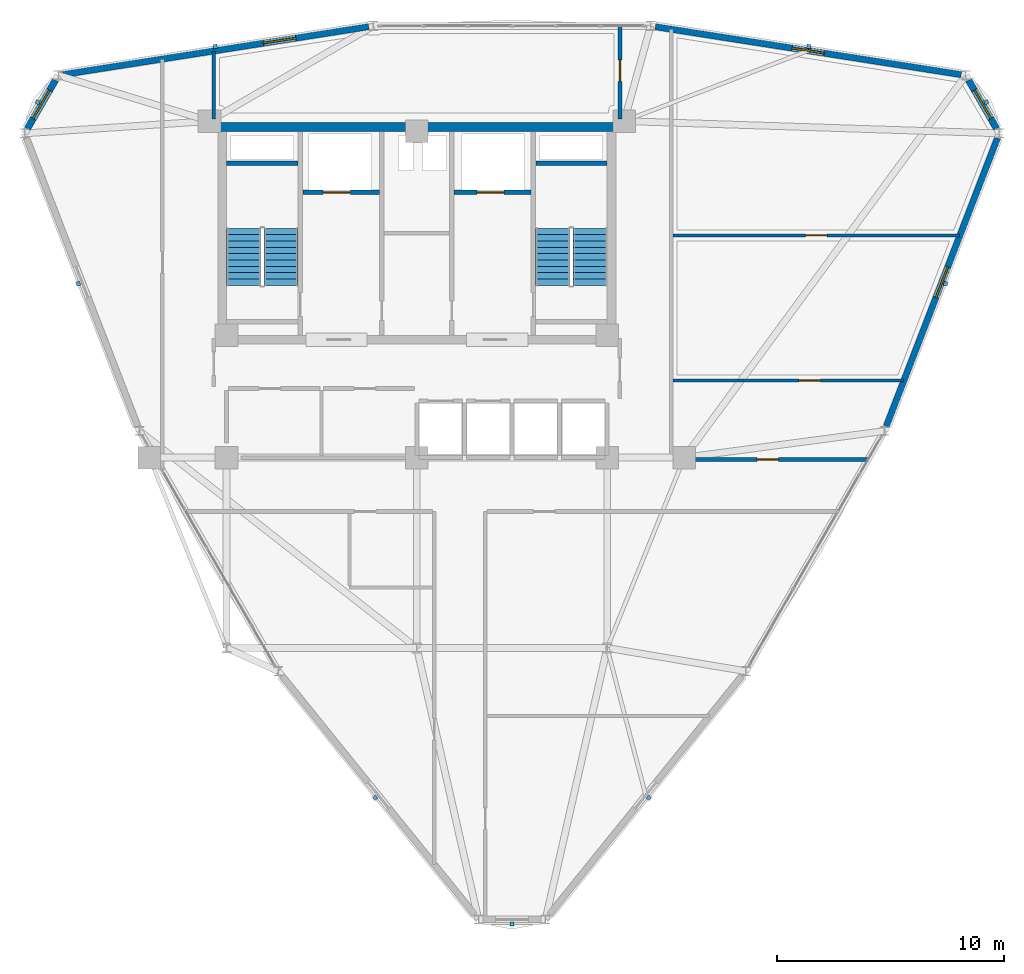
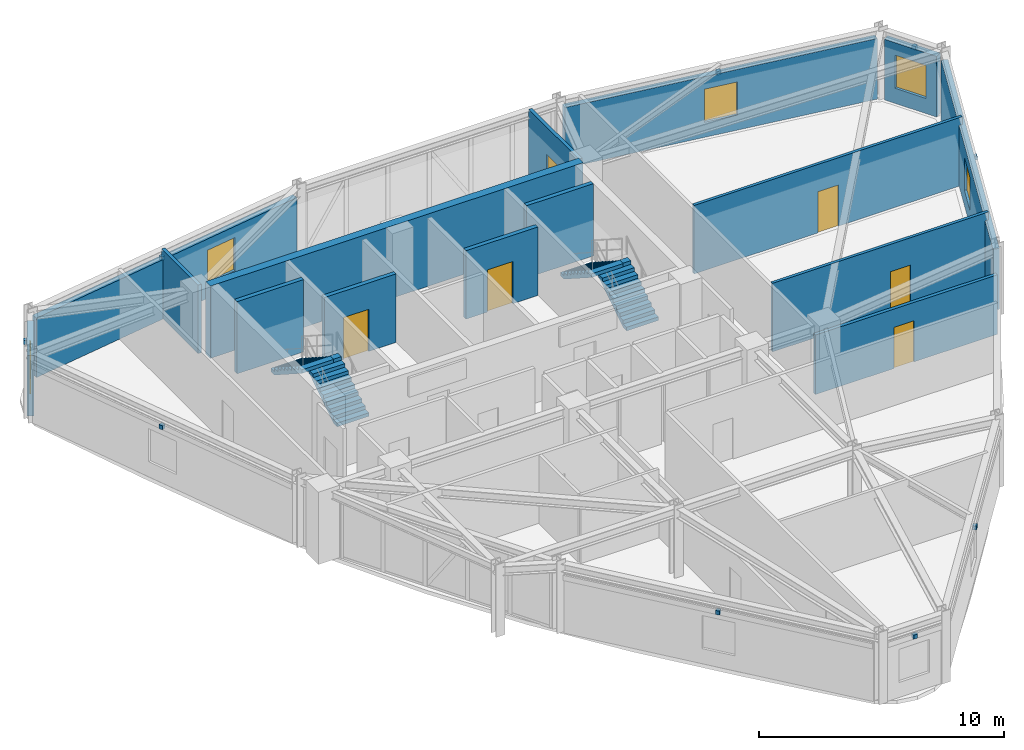
# One storey, part 14 of 16: 15 walls, 9 discrete accessories, 6 doors, 5 windows, 4 stair flights, 11 openings, 2 elements without a shape of their own.
"""IFC4 building model written with IfcOpenShell, lengths in metres."""

from ifc_helpers import new_model, si_unit, derived_unit, direction, frame, frame_2d, origin, origin_2d, place, context, subcontext, project, spatial, polyline, rectangle, outline, extrude, source, transform, mapped, material, layer, layer_set, type_object, element, fill, aggregate, save


model = new_model("IFC4")

# Units and contexts
model_context = context("Model", 3, precision=1e-05, world=origin(), true_north=direction((0.0, 1.0)))
body_context = subcontext(model_context, "Body", "Model", "MODEL_VIEW")
ifc_project = project(units=[si_unit("LENGTHUNIT", "METRE"), si_unit("AREAUNIT", "SQUARE_METRE"), si_unit("VOLUMEUNIT", "CUBIC_METRE"), si_unit("PLANEANGLEUNIT", "RADIAN"), si_unit("MASSUNIT", "GRAM", prefix="KILO"), derived_unit("THERMALTRANSMITTANCEUNIT", [(si_unit("POWERUNIT", "WATT"), 1), (si_unit("LENGTHUNIT", "METRE"), -2), (si_unit("THERMODYNAMICTEMPERATUREUNIT", "KELVIN"), -1)])], contexts=[model_context])

# Site, building, storey
site_placement = place(None, origin())
site = spatial("IfcSite", under=ifc_project, at=site_placement, CompositionType="ELEMENT")
building_placement = place(site_placement, origin())
building = spatial("IfcBuilding", under=site, at=building_placement, Name="Korsvarv Bourse and Concert Hall", CompositionType="ELEMENT")
storey_placement = place(building_placement, frame((0.0, 0.0, 216.60009765625)))
storey = spatial("IfcBuildingStorey", under=building, at=storey_placement, Name="L56", CompositionType="ELEMENT", Elevation=216.60009765625)

# Walls
ifc_material_1 = material(Name="Concrete C50/60", Category="concrete")
ifc_layer_1 = layer(ifc_material_1, 0.3798828125)
ifc_layer_set_1 = layer_set([ifc_layer_1], Name="Concrete C50/60")
wall_type_1 = type_object("IfcWallType", Name="WL-CORE-380", PredefinedType="SHEAR", material=ifc_layer_set_1)
wall_1_placement = place(storey_placement, frame((27.219970703125, 46.989990234375, 0.0), z_axis=(0.0, 0.0, 1.0), x_axis=(1.0, 0.0, 0.0)))
element("IfcWall", 1, at=wall_1_placement, inside=storey, type_object=wall_type_1, Name="L56 North Core Shear Wall", PredefinedType="SHEAR", context=body_context, shape_type="SweptSolid", body=[
    extrude(rectangle(XDim=17.56005859375, YDim=0.3798828125, at=frame_2d((8.780029296875, 0.0))), origin(), (0.0, 0.0, 1.0), 3.599853515625),
])
for number, where, z_axis, x_axis, name in (
    (2, (27.610107421875, 45.39990234375, 0.0), (0.0, 0.0, 1.0), (1.0, 0.0, 0.0), "L56 stair shaft structural wall W-L56-ST1-N"),
    (3, (41.25, 45.39990234375, 0.0), (0.0, 0.0, 1.0), (1.0, 0.0, 0.0), "L56 stair shaft structural wall W-L56-ST2-N"),
):
    element("IfcWall", number, at=place(storey_placement, frame(where, z_axis=z_axis, x_axis=x_axis)), inside=storey, type_object=wall_type_1, Name=name, PredefinedType="SHEAR", context=body_context, shape_type="SweptSolid", body=[
        extrude(rectangle(XDim=3.139892578125, YDim=0.199951171875, at=frame_2d((1.56982421875, 0.0))), origin(), (0.0, 0.0, 1.0), 3.599853515625),
    ])

# Wall, opening, window
ifc_material_2 = material(Name="Precast concrete C45/55 with terracotta rainscreen", Category="concrete")
ifc_layer_2 = layer(ifc_material_2, 0.300048828125)
ifc_layer_set_2 = layer_set([ifc_layer_2], Name="Precast concrete C45/55 with terracotta rainscreen")
wall_type_2 = type_object("IfcWallType", Name="WL-EXT-TC1", PredefinedType="SOLIDWALL", material=ifc_layer_set_2)
wall_2_placement = place(storey_placement, frame((61.583984375, 46.92138671875, 0.0), z_axis=(0.0, 0.0, 1.0), x_axis=(-0.499990780478, 0.866030726613, 0.0)))
wall_2 = element("IfcWall", 4, at=wall_2_placement, inside=storey, type_object=wall_type_2, Name="L56 terracotta exterior wall EW-L56-B01", PredefinedType="SOLIDWALL", context=body_context, shape_type="SweptSolid", body=[
    extrude(rectangle(XDim=2.4677734375, YDim=0.300048828125, at=frame_2d((1.23388671875, 0.0))), origin(), (0.0, 0.0, 1.0), 3.02001953125),
])
opening_1_placement = place(wall_2_placement, frame((0.5087890625, 0.0, 0.75)))
opening_1 = element("IfcOpeningElement", 5, at=opening_1_placement, cuts=wall_2, Name="Opening W-02", PredefinedType="OPENING", context=body_context, shape_type="SweptSolid", body=[
    extrude(rectangle(XDim=1.449951171875, YDim=1.64990234375, at=frame_2d((0.72509765625, 0.824951171875))), frame((0.0, 0.16015625, 0.0), z_axis=(0.0, -1.0, 0.0), x_axis=(1.0, 0.0, 0.0)), (0.0, 0.0, 1.0), 0.320068359375),
])
ifc_material_3 = material(Name="Thermally broken aluminium frame with triple low-E glass", Category="glass")
window_type = type_object("IfcWindowType", Name="WIN-TW2", PartitioningType="SINGLE_PANEL", PredefinedType="WINDOW", material=ifc_material_3)
window_1_placement = place(opening_1_placement, origin())
window_1 = element("IfcWindow", 6, at=window_1_placement, inside=storey, type_object=window_type, Name="L56 punched facade window W-02", OverallHeight=1.64990234375, OverallWidth=1.449951171875, PartitioningType="SINGLE_PANEL", PredefinedType="WINDOW", context=body_context, shape_type="SweptSolid", body=[
    extrude(rectangle(XDim=1.449951171875, YDim=1.64990234375, at=frame_2d((0.72509765625, 0.824951171875))), frame((0.0, 0.030029296875, 0.0), z_axis=(0.0, -1.0, 0.0), x_axis=(1.0, 0.0, 0.0)), (0.0, 0.0, 1.0), 0.06005859375),
])
fill(opening_1, window_1)

wall_3_placement = place(storey_placement, frame((20.0498046875, 49.05859375, 0.0), z_axis=(0.0, 0.0, 1.0), x_axis=(-0.499990780478, -0.866030726613, 0.0)))
wall_3 = element("IfcWall", 7, at=wall_3_placement, inside=storey, type_object=wall_type_2, Name="L56 terracotta exterior wall EW-L56-B05", PredefinedType="SOLIDWALL", context=body_context, shape_type="SweptSolid", body=[
    extrude(rectangle(XDim=2.4677734375, YDim=0.300048828125, at=frame_2d((1.23388671875, 0.0))), origin(), (0.0, 0.0, 1.0), 3.02001953125),
])
opening_2_placement = place(wall_3_placement, frame((0.5087890625, 0.0, 0.75)))
opening_2 = element("IfcOpeningElement", 8, at=opening_2_placement, cuts=wall_3, Name="Opening W-02", PredefinedType="OPENING", context=body_context, shape_type="SweptSolid", body=[
    extrude(rectangle(XDim=1.449951171875, YDim=1.64990234375, at=frame_2d((0.72509765625, 0.824951171875))), frame((0.0, 0.16015625, 0.0), z_axis=(0.0, -1.0, 0.0), x_axis=(1.0, 0.0, 0.0)), (0.0, 0.0, 1.0), 0.320068359375),
])
window_2_placement = place(opening_2_placement, origin())
window_2 = element("IfcWindow", 9, at=window_2_placement, inside=storey, type_object=window_type, Name="L56 punched facade window W-02", OverallHeight=1.64990234375, OverallWidth=1.449951171875, PartitioningType="SINGLE_PANEL", PredefinedType="WINDOW", context=body_context, shape_type="SweptSolid", body=[
    extrude(rectangle(XDim=1.449951171875, YDim=1.64990234375, at=frame_2d((0.72509765625, 0.824951171875))), frame((0.0, 0.030029296875, 0.0), z_axis=(0.0, -1.0, 0.0), x_axis=(1.0, 0.0, 0.0)), (0.0, 0.0, 1.0), 0.06005859375),
])
fill(opening_2, window_2)

ifc_material_4 = material(Name="Precast concrete C45/55 with fluted terracotta pier", Category="concrete")
ifc_layer_3 = layer(ifc_material_4, 0.280029296875)
ifc_layer_set_3 = layer_set([ifc_layer_3], Name="Precast concrete C45/55 with fluted terracotta pier")
wall_type_3 = type_object("IfcWallType", Name="WL-EXT-TC2", PredefinedType="SOLIDWALL", material=ifc_layer_set_3)
wall_4_placement = place(storey_placement, frame((60.019287109375, 49.30419921875, 0.0), z_axis=(0.0, 0.0, 1.0), x_axis=(-0.987957437721, 0.154725890697, 0.0)))
wall_4 = element("IfcWall", 10, at=wall_4_placement, inside=storey, type_object=wall_type_3, Name="L56 terracotta exterior wall EW-L56-B02", PredefinedType="SOLIDWALL", context=body_context, shape_type="SweptSolid", body=[
    extrude(rectangle(XDim=13.65673828125, YDim=0.280029296875, at=frame_2d((6.828369140625, 0.0))), origin(), (0.0, 0.0, 1.0), 3.02001953125),
])
opening_3_placement = place(wall_4_placement, frame((6.103271484375, 0.0, 0.75)))
opening_3 = element("IfcOpeningElement", 11, at=opening_3_placement, cuts=wall_4, Name="Opening W-02", PredefinedType="OPENING", context=body_context, shape_type="SweptSolid", body=[
    extrude(rectangle(XDim=1.449951171875, YDim=1.64990234375, at=frame_2d((0.72509765625, 0.824951171875))), frame((0.0, 0.14990234375, 0.0), z_axis=(0.0, -1.0, 0.0), x_axis=(1.0, 0.0, 0.0)), (0.0, 0.0, 1.0), 0.300048828125),
])
window_3_placement = place(opening_3_placement, origin())
window_3 = element("IfcWindow", 12, at=window_3_placement, inside=storey, type_object=window_type, Name="L56 punched facade window W-02", OverallHeight=1.64990234375, OverallWidth=1.449951171875, PartitioningType="SINGLE_PANEL", PredefinedType="WINDOW", context=body_context, shape_type="SweptSolid", body=[
    extrude(rectangle(XDim=1.449951171875, YDim=1.64990234375, at=frame_2d((0.72509765625, 0.824951171875))), frame((0.0, 0.030029296875, 0.0), z_axis=(0.0, -1.0, 0.0), x_axis=(1.0, 0.0, 0.0)), (0.0, 0.0, 1.0), 0.06005859375),
])
fill(opening_3, window_3)

wall_5_placement = place(storey_placement, frame((33.873046875, 51.417236328125, 0.0), z_axis=(0.0, 0.0, 1.0), x_axis=(-0.987957437721, -0.154725890697, 0.0)))
wall_5 = element("IfcWall", 13, at=wall_5_placement, inside=storey, type_object=wall_type_3, Name="L56 terracotta exterior wall EW-L56-B04", PredefinedType="SOLIDWALL", context=body_context, shape_type="SweptSolid", body=[
    extrude(rectangle(XDim=13.65673828125, YDim=0.280029296875, at=frame_2d((6.828369140625, 0.0))), origin(), (0.0, 0.0, 1.0), 2.9599609375),
])
opening_4_placement = place(wall_5_placement, frame((3.251708984375, 0.0, 0.75)))
opening_4 = element("IfcOpeningElement", 14, at=opening_4_placement, cuts=wall_5, Name="Opening W-02", PredefinedType="OPENING", context=body_context, shape_type="SweptSolid", body=[
    extrude(rectangle(XDim=1.449951171875, YDim=1.64990234375, at=frame_2d((0.72509765625, 0.824951171875))), frame((0.0, 0.14990234375, 0.0), z_axis=(0.0, -1.0, 0.0), x_axis=(1.0, 0.0, 0.0)), (0.0, 0.0, 1.0), 0.300048828125),
])
window_4_placement = place(opening_4_placement, origin())
window_4 = element("IfcWindow", 15, at=window_4_placement, inside=storey, type_object=window_type, Name="L56 punched facade window W-02", OverallHeight=1.64990234375, OverallWidth=1.449951171875, PartitioningType="SINGLE_PANEL", PredefinedType="WINDOW", context=body_context, shape_type="SweptSolid", body=[
    extrude(rectangle(XDim=1.449951171875, YDim=1.64990234375, at=frame_2d((0.72509765625, 0.824951171875))), frame((0.0, 0.030029296875, 0.0), z_axis=(0.0, -1.0, 0.0), x_axis=(1.0, 0.0, 0.0)), (0.0, 0.0, 1.0), 0.06005859375),
])
fill(opening_4, window_4)

wall_6_placement = place(storey_placement, frame((56.7216796875, 33.787109375, 0.0), z_axis=(0.0, 0.0, 1.0), x_axis=(0.359972142588, 0.932963052088, 0.0)))
wall_6 = element("IfcWall", 16, at=wall_6_placement, inside=storey, type_object=wall_type_3, Name="L56 terracotta exterior wall EW-L56-B12", PredefinedType="SOLIDWALL", context=body_context, shape_type="SweptSolid", body=[
    extrude(rectangle(XDim=13.621337890625, YDim=0.280029296875, at=frame_2d((6.810546875, 0.0))), origin(), (0.0, 0.0, 1.0), 3.02001953125),
])
opening_5_placement = place(wall_6_placement, frame((6.085693359375, 0.0, 0.75)))
opening_5 = element("IfcOpeningElement", 17, at=opening_5_placement, cuts=wall_6, Name="Opening W-02", PredefinedType="OPENING", context=body_context, shape_type="SweptSolid", body=[
    extrude(rectangle(XDim=1.449951171875, YDim=1.64990234375, at=frame_2d((0.72509765625, 0.824951171875))), frame((0.0, 0.14990234375, 0.0), z_axis=(0.0, -1.0, 0.0), x_axis=(1.0, 0.0, 0.0)), (0.0, 0.0, 1.0), 0.300048828125),
])
window_5_placement = place(opening_5_placement, origin())
window_5 = element("IfcWindow", 18, at=window_5_placement, inside=storey, type_object=window_type, Name="L56 punched facade window W-02", OverallHeight=1.64990234375, OverallWidth=1.449951171875, PartitioningType="SINGLE_PANEL", PredefinedType="WINDOW", context=body_context, shape_type="SweptSolid", body=[
    extrude(rectangle(XDim=1.449951171875, YDim=1.64990234375, at=frame_2d((0.72509765625, 0.824951171875))), frame((0.0, 0.030029296875, 0.0), z_axis=(0.0, -1.0, 0.0), x_axis=(1.0, 0.0, 0.0)), (0.0, 0.0, 1.0), 0.06005859375),
])
fill(opening_5, window_5)

# Wall, opening, door
ifc_material_5 = material(Name="Reinforced concrete blockwork C35/45 fire wall", Category="concrete")
ifc_layer_4 = layer(ifc_material_5, 0.199951171875)
ifc_layer_set_4 = layer_set([ifc_layer_4], Name="Reinforced concrete blockwork C35/45 fire wall")
wall_type_4 = type_object("IfcWallType", Name="WL-INT-EI120", PredefinedType="PARTITIONING", material=ifc_layer_set_4)
wall_7_placement = place(storey_placement, frame((30.969970703125, 44.10009765625, 0.0), z_axis=(0.0, 0.0, 1.0), x_axis=(1.0, 0.0, 0.0)))
wall_7 = element("IfcWall", 19, at=wall_7_placement, inside=storey, type_object=wall_type_4, Name="L56 interior partition wall W-L56-FF1-S", PredefinedType="PARTITIONING", context=body_context, shape_type="SweptSolid", body=[
    extrude(rectangle(XDim=3.380126953125, YDim=0.199951171875, at=frame_2d((1.68994140625, 0.0))), origin(), (0.0, 0.0, 1.0), 3.409912109375),
])
opening_6_placement = place(wall_7_placement, frame((0.89990234375, 0.0, 0.0)))
opening_6 = element("IfcOpeningElement", 20, at=opening_6_placement, cuts=wall_7, Name="Opening LD-1", PredefinedType="OPENING", context=body_context, shape_type="SweptSolid", body=[
    extrude(rectangle(XDim=1.199951171875, YDim=2.10009765625, at=frame_2d((0.60009765625, 1.050048828125))), frame((0.0, 0.10986328125, 0.0), z_axis=(0.0, -1.0, 0.0), x_axis=(1.0, 0.0, 0.0)), (0.0, 0.0, 1.0), 0.219970703125),
])
ifc_material_6 = material(Name="Stainless Steel S355 firefighting lift landing door", Category="steel")
door_type_1 = type_object("IfcDoorType", Name="DR-LIFT-FF", OperationType="DOUBLE_DOOR_SLIDING", PredefinedType="DOOR", material=ifc_material_6)
door_1_placement = place(opening_6_placement, origin())
door_1 = element("IfcDoor", 21, at=door_1_placement, inside=storey, type_object=door_type_1, Name="L56 lift sliding landing door LD-L56-FF1", OperationType="DOUBLE_DOOR_SLIDING", OverallHeight=2.10009765625, OverallWidth=1.199951171875, PredefinedType="DOOR", context=body_context, shape_type="SweptSolid", body=[
    extrude(rectangle(XDim=1.199951171875, YDim=2.10009765625, at=frame_2d((0.60009765625, 1.050048828125))), frame((0.0, 0.02490234375, 0.0), z_axis=(0.0, -1.0, 0.0), x_axis=(1.0, 0.0, 0.0)), (0.0, 0.0, 1.0), 0.050048828125),
])
fill(opening_6, door_1)

wall_8_placement = place(storey_placement, frame((37.64990234375, 44.10009765625, 0.0), z_axis=(0.0, 0.0, 1.0), x_axis=(1.0, 0.0, 0.0)))
wall_8 = element("IfcWall", 22, at=wall_8_placement, inside=storey, type_object=wall_type_4, Name="L56 interior partition wall W-L56-FF2-S", PredefinedType="PARTITIONING", context=body_context, shape_type="SweptSolid", body=[
    extrude(rectangle(XDim=3.380126953125, YDim=0.199951171875, at=frame_2d((1.68994140625, 0.0))), origin(), (0.0, 0.0, 1.0), 3.409912109375),
])
opening_7_placement = place(wall_8_placement, frame((1.0, 0.0, 0.0)))
opening_7 = element("IfcOpeningElement", 23, at=opening_7_placement, cuts=wall_8, Name="Opening LD-1", PredefinedType="OPENING", context=body_context, shape_type="SweptSolid", body=[
    extrude(rectangle(XDim=1.199951171875, YDim=2.10009765625, at=frame_2d((0.60009765625, 1.050048828125))), frame((0.0, 0.10986328125, 0.0), z_axis=(0.0, -1.0, 0.0), x_axis=(1.0, 0.0, 0.0)), (0.0, 0.0, 1.0), 0.219970703125),
])
door_2_placement = place(opening_7_placement, origin())
door_2 = element("IfcDoor", 24, at=door_2_placement, inside=storey, type_object=door_type_1, Name="L56 lift sliding landing door LD-L56-FF2", OperationType="DOUBLE_DOOR_SLIDING", OverallHeight=2.10009765625, OverallWidth=1.199951171875, PredefinedType="DOOR", context=body_context, shape_type="SweptSolid", body=[
    extrude(rectangle(XDim=1.199951171875, YDim=2.10009765625, at=frame_2d((0.60009765625, 1.050048828125))), frame((0.0, 0.02490234375, 0.0), z_axis=(0.0, -1.0, 0.0), x_axis=(1.0, 0.0, 0.0)), (0.0, 0.0, 1.0), 0.050048828125),
])
fill(opening_7, door_2)

ifc_material_7 = material(Name="Double-stud fire-rated acoustic partition", Category="gypsum")
ifc_layer_5 = layer(ifc_material_7, 0.159912109375)
ifc_layer_set_5 = layer_set([ifc_layer_5], Name="Double-stud fire-rated acoustic partition")
wall_type_5 = type_object("IfcWallType", Name="WL-INT-EI60", PredefinedType="PARTITIONING", material=ifc_layer_set_5)
wall_9_placement = place(storey_placement, frame((47.306884765625, 32.31494140625, 0.0), z_axis=(0.0, 0.0, 1.0), x_axis=(1.0, 0.0, 0.0)))
wall_9 = element("IfcWall", 25, at=wall_9_placement, inside=storey, type_object=wall_type_5, Name="L56 interior partition wall W-L56-TCOR-07", PredefinedType="PARTITIONING", context=body_context, shape_type="SweptSolid", body=[
    extrude(rectangle(XDim=8.585693359375, YDim=0.159912109375, at=frame_2d((4.29296875, 0.0))), origin(), (0.0, 0.0, 1.0), 2.9599609375),
])
opening_8_placement = place(wall_9_placement, frame((3.6982421875, 0.0, 0.0)))
opening_8 = element("IfcOpeningElement", 26, at=opening_8_placement, cuts=wall_9, Name="Opening D-02", PredefinedType="OPENING", context=body_context, shape_type="SweptSolid", body=[
    extrude(rectangle(XDim=0.949951171875, YDim=2.050048828125, at=frame_2d((0.47509765625, 1.02490234375))), frame((0.0, 0.08984375, 0.0), z_axis=(0.0, -1.0, 0.0), x_axis=(1.0, 0.0, 0.0)), (0.0, 0.0, 1.0), 0.179931640625),
])
ifc_material_8 = material(Name="Timber and steel acoustic fire door", Category="wood")
door_type_2 = type_object("IfcDoorType", Name="DR-FD30", OperationType="NOTDEFINED", PredefinedType="DOOR", material=ifc_material_8)
door_3_placement = place(opening_8_placement, origin())
door_3 = element("IfcDoor", 27, at=door_3_placement, inside=storey, type_object=door_type_2, Name="L56 interior door DR-L56-TCOR-EC31", OperationType="SINGLE_SWING_RIGHT", OverallHeight=2.050048828125, OverallWidth=0.949951171875, PredefinedType="DOOR", context=body_context, shape_type="SweptSolid", body=[
    extrude(rectangle(XDim=0.949951171875, YDim=2.050048828125, at=frame_2d((0.47509765625, 1.02490234375))), frame((0.0, 0.02490234375, 0.0), z_axis=(0.0, -1.0, 0.0), x_axis=(1.0, 0.0, 0.0)), (0.0, 0.0, 1.0), 0.050048828125),
])
fill(opening_8, door_3)

wall_10_placement = place(storey_placement, frame((44.965087890625, 47.340087890625, 0.0), z_axis=(0.0, 0.0, 1.0), x_axis=(0.0, 1.0, 0.0)))
wall_10 = element("IfcWall", 28, at=wall_10_placement, inside=storey, type_object=wall_type_5, Name="L56 interior partition wall W-L56-TCOR-08", PredefinedType="PARTITIONING", context=body_context, shape_type="SweptSolid", body=[
    extrude(rectangle(XDim=4.08984375, YDim=0.159912109375, at=frame_2d((2.044921875, 0.0))), origin(), (0.0, 0.0, 1.0), 3.409912109375),
])
opening_9_placement = place(wall_10_placement, frame((1.666015625, 0.0, 0.0)))
opening_9 = element("IfcOpeningElement", 29, at=opening_9_placement, cuts=wall_10, Name="Opening D-02", PredefinedType="OPENING", context=body_context, shape_type="SweptSolid", body=[
    extrude(rectangle(XDim=0.949951171875, YDim=2.050048828125, at=frame_2d((0.47509765625, 1.02490234375))), frame((0.0, 0.08984375, 0.0), z_axis=(0.0, -1.0, 0.0), x_axis=(1.0, 0.0, 0.0)), (0.0, 0.0, 1.0), 0.179931640625),
])
door_4_placement = place(opening_9_placement, origin())
door_4 = element("IfcDoor", 30, at=door_4_placement, inside=storey, type_object=door_type_2, Name="L56 interior door DR-L56-TCOR-EC56", OperationType="SINGLE_SWING_LEFT", OverallHeight=2.050048828125, OverallWidth=0.949951171875, PredefinedType="DOOR", context=body_context, shape_type="SweptSolid", body=[
    extrude(rectangle(XDim=0.949951171875, YDim=2.050048828125, at=frame_2d((0.47509765625, 1.02490234375))), frame((0.0, 0.02490234375, 0.0), z_axis=(0.0, -1.0, 0.0), x_axis=(1.0, 0.0, 0.0)), (0.0, 0.0, 1.0), 0.050048828125),
])
fill(opening_9, door_4)

# Wall
wall_11_placement = place(storey_placement, frame((27.034912109375, 47.340087890625, 0.0), z_axis=(0.0, 0.0, 1.0), x_axis=(0.0, 1.0, 0.0)))
element("IfcWall", 31, at=wall_11_placement, inside=storey, type_object=wall_type_5, Name="L56 interior partition wall W-L56-TCOR-09", PredefinedType="PARTITIONING", context=body_context, shape_type="SweptSolid", body=[
    extrude(rectangle(XDim=2.986328125, YDim=0.159912109375, at=frame_2d((1.4931640625, 0.0))), origin(), (0.0, 0.0, 1.0), 3.409912109375),
])

# Wall, opening, door
ifc_material_9 = material(Name="Insulated steel-stud office acoustic partition", Category="gypsum")
ifc_layer_6 = layer(ifc_material_9, 0.139892578125)
ifc_layer_set_6 = layer_set([ifc_layer_6], Name="Insulated steel-stud office acoustic partition")
wall_type_6 = type_object("IfcWallType", Name="WL-INT-P1", PredefinedType="PARTITIONING", material=ifc_layer_set_6)
wall_12_placement = place(storey_placement, frame((47.306884765625, 42.205078125, 0.0), z_axis=(0.0, 0.0, 1.0), x_axis=(1.0, 0.0, 0.0)))
wall_12 = element("IfcWall", 32, at=wall_12_placement, inside=storey, type_object=wall_type_6, Name="L56 interior partition wall W-L56-TCOR-10", PredefinedType="PARTITIONING", context=body_context, shape_type="SweptSolid", body=[
    extrude(rectangle(XDim=12.642578125, YDim=0.139892578125, at=frame_2d((6.3212890625, 0.0))), origin(), (0.0, 0.0, 1.0), 3.409912109375),
])
opening_10_placement = place(wall_12_placement, frame((5.84619140625, 0.0, 0.0)))
opening_10 = element("IfcOpeningElement", 33, at=opening_10_placement, cuts=wall_12, Name="Opening D-03", PredefinedType="OPENING", context=body_context, shape_type="SweptSolid", body=[
    extrude(rectangle(XDim=0.949951171875, YDim=2.050048828125, at=frame_2d((0.47509765625, 1.02490234375))), frame((0.0, 0.080078125, 0.0), z_axis=(0.0, -1.0, 0.0), x_axis=(1.0, 0.0, 0.0)), (0.0, 0.0, 1.0), 0.159912109375),
])
ifc_material_10 = material(Name="Nordic oak acoustic office door", Category="wood")
door_type_3 = type_object("IfcDoorType", Name="DR-INT-1", OperationType="NOTDEFINED", PredefinedType="DOOR", material=ifc_material_10)
door_5_placement = place(opening_10_placement, origin())
door_5 = element("IfcDoor", 34, at=door_5_placement, inside=storey, type_object=door_type_3, Name="L56 interior door DR-L56-TCOR-EC73", OperationType="SINGLE_SWING_RIGHT", OverallHeight=2.050048828125, OverallWidth=0.949951171875, PredefinedType="DOOR", context=body_context, shape_type="SweptSolid", body=[
    extrude(rectangle(XDim=0.949951171875, YDim=2.050048828125, at=frame_2d((0.47509765625, 1.02490234375))), frame((0.0, 0.02490234375, 0.0), z_axis=(0.0, -1.0, 0.0), x_axis=(1.0, 0.0, 0.0)), (0.0, 0.0, 1.0), 0.050048828125),
])
fill(opening_10, door_5)

wall_13_placement = place(storey_placement, frame((47.306884765625, 35.804931640625, 0.0), z_axis=(0.0, 0.0, 1.0), x_axis=(1.0, 0.0, 0.0)))
wall_13 = element("IfcWall", 35, at=wall_13_placement, inside=storey, type_object=wall_type_6, Name="L56 interior partition wall W-L56-TCOR-11", PredefinedType="PARTITIONING", context=body_context, shape_type="SweptSolid", body=[
    extrude(rectangle(XDim=10.17333984375, YDim=0.139892578125, at=frame_2d((5.086669921875, 0.0))), origin(), (0.0, 0.0, 1.0), 3.409912109375),
])
opening_11_placement = place(wall_13_placement, frame((5.553466796875, 0.0, 0.0)))
opening_11 = element("IfcOpeningElement", 36, at=opening_11_placement, cuts=wall_13, Name="Opening D-03", PredefinedType="OPENING", context=body_context, shape_type="SweptSolid", body=[
    extrude(rectangle(XDim=0.949951171875, YDim=2.050048828125, at=frame_2d((0.47509765625, 1.02490234375))), frame((0.0, 0.080078125, 0.0), z_axis=(0.0, -1.0, 0.0), x_axis=(1.0, 0.0, 0.0)), (0.0, 0.0, 1.0), 0.159912109375),
])
door_6_placement = place(opening_11_placement, origin())
door_6 = element("IfcDoor", 37, at=door_6_placement, inside=storey, type_object=door_type_3, Name="L56 interior door DR-L56-TCOR-EC82", OperationType="SINGLE_SWING_LEFT", OverallHeight=2.050048828125, OverallWidth=0.949951171875, PredefinedType="DOOR", context=body_context, shape_type="SweptSolid", body=[
    extrude(rectangle(XDim=0.949951171875, YDim=2.050048828125, at=frame_2d((0.47509765625, 1.02490234375))), frame((0.0, 0.02490234375, 0.0), z_axis=(0.0, -1.0, 0.0), x_axis=(1.0, 0.0, 0.0)), (0.0, 0.0, 1.0), 0.050048828125),
])
fill(opening_11, door_6)

# Stair, stair flights
ifc_material_11 = material(Name="Precast concrete C45/55", Category="concrete")
stair_type = type_object("IfcStairType", Name="STR-TYPE-04", PredefinedType="HALF_TURN_STAIR", material=ifc_material_11)
stair_1_placement = place(storey_placement, origin())
stair_1 = element("IfcStair", 38, at=stair_1_placement, inside=storey, type_object=stair_type, Name="L56 Tower West Exit Stair ST-T1", PredefinedType="HALF_TURN_STAIR")
stair_flight_type = type_object("IfcStairFlightType", Name="FLT-TYPE-04", PredefinedType="STRAIGHT", material=ifc_material_11)
stair_flight_1_placement = place(storey_placement, frame((30.010009765625, 40.0, 0.0), z_axis=(0.0, 0.0, 1.0), x_axis=(0.0, 1.0, 0.0)))
stair_flight_1 = element("IfcStairFlight", 39, at=stair_flight_1_placement, type_object=stair_flight_type, Name="ST-T1 flight 1", NumberOfRisers=10, NumberOfTreads=9, PredefinedType="STRAIGHT", RiserHeight=0.18, TreadLength=0.28, context=body_context, shape_type="SweptSolid", body=[
    extrude(outline(polyline([(0.0, 0.0), (0.0, 0.179931640625), (0.280029296875, 0.179931640625), (0.280029296875, 0.360107421875), (0.56005859375, 0.360107421875), (0.56005859375, 0.5400390625), (0.840087890625, 0.5400390625), (0.840087890625, 0.719970703125), (1.1201171875, 0.719970703125), (1.1201171875, 0.89990234375), (1.39990234375, 0.89990234375), (1.39990234375, 1.080078125), (1.679931640625, 1.080078125), (1.679931640625, 1.260009765625), (1.9599609375, 1.260009765625), (1.9599609375, 1.43994140625), (2.239990234375, 1.43994140625), (2.239990234375, 1.6201171875), (2.52001953125, 1.6201171875), (2.52001953125, 1.800048828125), (2.52001953125, 1.44189453125), (0.277099609375, 0.0), (0.0, 0.0)])), frame((0.0, 0.75, 0.0), z_axis=(0.0, -1.0, 0.0), x_axis=(1.0, 0.0, 0.0)), (0.0, 0.0, 1.0), 1.5),
])
stair_flight_2_placement = place(storey_placement, frame((28.35009765625, 42.52001953125, 1.7998046875), z_axis=(0.0, 0.0, 1.0), x_axis=(0.0, -1.0, 0.0)))
stair_flight_2 = element("IfcStairFlight", 40, at=stair_flight_2_placement, type_object=stair_flight_type, Name="ST-T1 flight 2", NumberOfRisers=10, NumberOfTreads=9, PredefinedType="STRAIGHT", RiserHeight=0.18, TreadLength=0.28, context=body_context, shape_type="SweptSolid", body=[
    extrude(outline(polyline([(0.0, 0.0), (0.0, 0.179931640625), (0.280029296875, 0.179931640625), (0.280029296875, 0.360107421875), (0.56005859375, 0.360107421875), (0.56005859375, 0.5400390625), (0.840087890625, 0.5400390625), (0.840087890625, 0.719970703125), (1.1201171875, 0.719970703125), (1.1201171875, 0.89990234375), (1.39990234375, 0.89990234375), (1.39990234375, 1.080078125), (1.679931640625, 1.080078125), (1.679931640625, 1.260009765625), (1.9599609375, 1.260009765625), (1.9599609375, 1.43994140625), (2.239990234375, 1.43994140625), (2.239990234375, 1.6201171875), (2.52001953125, 1.6201171875), (2.52001953125, 1.800048828125), (2.52001953125, 1.44189453125), (0.277099609375, 0.0), (0.0, 0.0)])), frame((0.0, 0.75, 0.0), z_axis=(0.0, -1.0, 0.0), x_axis=(1.0, 0.0, 0.0)), (0.0, 0.0, 1.0), 1.5),
])
aggregate(stair_1, [stair_flight_1, stair_flight_2])

stair_2_placement = place(storey_placement, origin())
stair_2 = element("IfcStair", 41, at=stair_2_placement, inside=storey, type_object=stair_type, Name="L56 Tower East Exit Stair ST-T2", PredefinedType="HALF_TURN_STAIR")
stair_flight_3_placement = place(storey_placement, frame((43.64990234375, 40.0, 0.0), z_axis=(0.0, 0.0, 1.0), x_axis=(0.0, 1.0, 0.0)))
stair_flight_3 = element("IfcStairFlight", 42, at=stair_flight_3_placement, type_object=stair_flight_type, Name="ST-T2 flight 1", NumberOfRisers=10, NumberOfTreads=9, PredefinedType="STRAIGHT", RiserHeight=0.18, TreadLength=0.28, context=body_context, shape_type="SweptSolid", body=[
    extrude(outline(polyline([(0.0, 0.0), (0.0, 0.179931640625), (0.280029296875, 0.179931640625), (0.280029296875, 0.360107421875), (0.56005859375, 0.360107421875), (0.56005859375, 0.5400390625), (0.840087890625, 0.5400390625), (0.840087890625, 0.719970703125), (1.1201171875, 0.719970703125), (1.1201171875, 0.89990234375), (1.39990234375, 0.89990234375), (1.39990234375, 1.080078125), (1.679931640625, 1.080078125), (1.679931640625, 1.260009765625), (1.9599609375, 1.260009765625), (1.9599609375, 1.43994140625), (2.239990234375, 1.43994140625), (2.239990234375, 1.6201171875), (2.52001953125, 1.6201171875), (2.52001953125, 1.800048828125), (2.52001953125, 1.44189453125), (0.277099609375, 0.0), (0.0, 0.0)])), frame((0.0, 0.75, 0.0), z_axis=(0.0, -1.0, 0.0), x_axis=(1.0, 0.0, 0.0)), (0.0, 0.0, 1.0), 1.5),
])
stair_flight_4_placement = place(storey_placement, frame((41.989990234375, 42.52001953125, 1.7998046875), z_axis=(0.0, 0.0, 1.0), x_axis=(0.0, -1.0, 0.0)))
stair_flight_4 = element("IfcStairFlight", 43, at=stair_flight_4_placement, type_object=stair_flight_type, Name="ST-T2 flight 2", NumberOfRisers=10, NumberOfTreads=9, PredefinedType="STRAIGHT", RiserHeight=0.18, TreadLength=0.28, context=body_context, shape_type="SweptSolid", body=[
    extrude(outline(polyline([(0.0, 0.0), (0.0, 0.179931640625), (0.280029296875, 0.179931640625), (0.280029296875, 0.360107421875), (0.56005859375, 0.360107421875), (0.56005859375, 0.5400390625), (0.840087890625, 0.5400390625), (0.840087890625, 0.719970703125), (1.1201171875, 0.719970703125), (1.1201171875, 0.89990234375), (1.39990234375, 0.89990234375), (1.39990234375, 1.080078125), (1.679931640625, 1.080078125), (1.679931640625, 1.260009765625), (1.9599609375, 1.260009765625), (1.9599609375, 1.43994140625), (2.239990234375, 1.43994140625), (2.239990234375, 1.6201171875), (2.52001953125, 1.6201171875), (2.52001953125, 1.800048828125), (2.52001953125, 1.44189453125), (0.277099609375, 0.0), (0.0, 0.0)])), frame((0.0, 0.75, 0.0), z_axis=(0.0, -1.0, 0.0), x_axis=(1.0, 0.0, 0.0)), (0.0, 0.0, 1.0), 1.5),
])
aggregate(stair_2, [stair_flight_3, stair_flight_4])

# Discrete accessories
ifc_material_12 = material(Name="Stainless Steel S355 facade outrigger bracket", Category="steel")
discrete_accessory_type = type_object("IfcDiscreteAccessoryType", Name="ACC-BRK-1", PredefinedType="BRACKET", material=ifc_material_12)
shared_shape = source(origin(), body_context, "Body", "SweptSolid", [
    extrude(rectangle(XDim=0.179931640625, YDim=0.179931640625, at=origin_2d()), origin(), (0.0, 0.0, 1.0), 0.199951171875),
])
for number, where, z_axis, x_axis, name in (
    (44, (61.131591796875, 48.0849609375, 2.759765625), (0.0, 0.0, 1.0), (-0.5, 0.866025403784, 0.0), "L56 terracotta sunshade bracket EW-L56-B01"),
    (45, (53.301025390625, 50.53857421875, 2.759765625), (0.0, 0.0, 1.0), (-0.987959865769, 0.154710386299, 0.0), "L56 terracotta sunshade bracket EW-L56-B02"),
    (46, (27.09912109375, 50.53857421875, 2.69970703125), (0.0, 0.0, 1.0), (-0.987959865769, -0.154710386299, 0.0), "L56 terracotta sunshade bracket EW-L56-B04"),
    (47, (19.268310546875, 48.0849609375, 2.759765625), (0.0, 0.0, 1.0), (-0.5, -0.866025403784, 0.0), "L56 terracotta sunshade bracket EW-L56-B05"),
    (48, (21.058837890625, 40.076416015625, 2.759765625), (0.0, 0.0, 1.0), (0.35999680812, -0.932953534825, 0.0), "L56 terracotta sunshade bracket EW-L56-B06"),
    (49, (34.15966796875, 17.385009765625, 2.69970703125), (0.0, 0.0, 1.0), (0.627963057649, -0.778243148526, 0.0), "L56 terracotta sunshade bracket EW-L56-B08"),
    (50, (40.199951171875, 11.830078125, 2.759765625), (0.0, 0.0, 1.0), (1.0, 0.0, 0.0), "L56 terracotta sunshade bracket EW-L56-B09"),
    (51, (46.240234375, 17.385009765625, 2.69970703125), (0.0, 0.0, 1.0), (0.627963057649, 0.778243148526, 0.0), "L56 terracotta sunshade bracket EW-L56-B10"),
    (52, (59.34130859375, 40.076416015625, 2.759765625), (0.0, 0.0, 1.0), (0.35999680812, 0.932953534825, 0.0), "L56 terracotta sunshade bracket EW-L56-B12"),
):
    element("IfcDiscreteAccessory", number, at=place(storey_placement, frame(where, z_axis=z_axis, x_axis=x_axis)), inside=storey, type_object=discrete_accessory_type, Name=name, PredefinedType="BRACKET", context=body_context, shape_type="MappedRepresentation", body=[
        mapped(shared_shape, transform((0.0, 0.0, 0.0), scale=1.0)),
    ])

save(model, "model.ifc")
